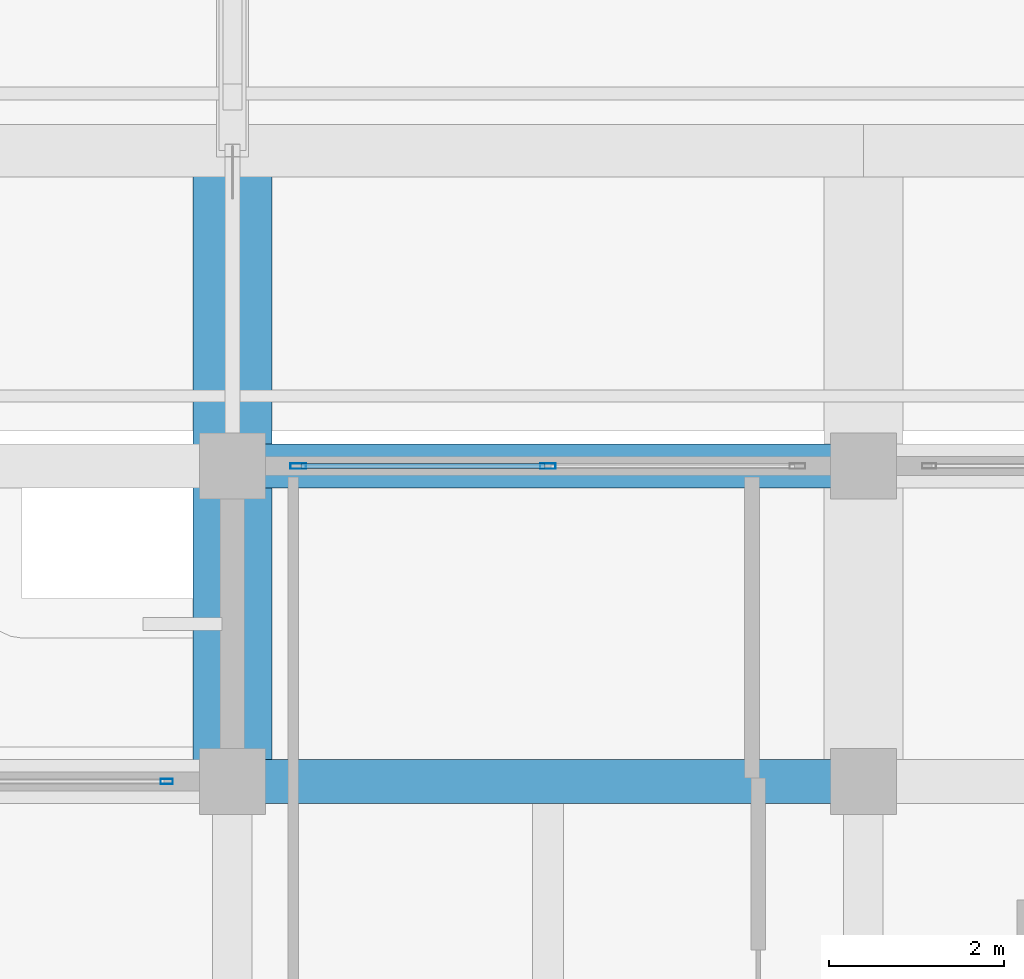
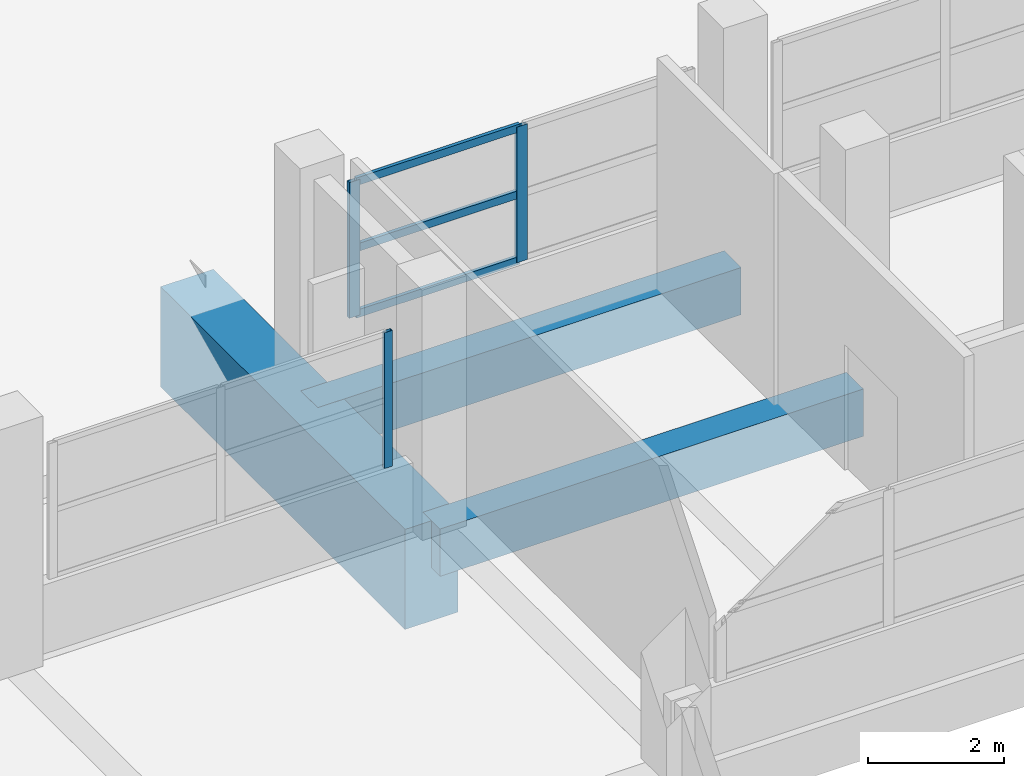
# One storey, part 69 of 141: 6 members, 3 beams, 2 elements without a shape of their own.
"""IFC4 building model written with IfcOpenShell, lengths in metres."""

from ifc_helpers import new_model, si_unit, direction, frame, origin, origin_2d, place, context, subcontext, project, spatial, rectangle, hollow_rectangle, extrude, material, layer, layer_set, material_profile, profile_set, type_object, element, aggregate, save


model = new_model("IFC4")

# Units and contexts
model_context = context("Model", 3, precision=1e-05, world=origin(), true_north=direction((0.0, 1.0)))
body_context = subcontext(model_context, "Body", "Model", "MODEL_VIEW")
ifc_project = project(units=[si_unit("LENGTHUNIT", "METRE"), si_unit("AREAUNIT", "SQUARE_METRE"), si_unit("VOLUMEUNIT", "CUBIC_METRE"), si_unit("PLANEANGLEUNIT", "RADIAN"), si_unit("MASSUNIT", "GRAM", prefix="KILO")], contexts=[model_context])

# Site, building, storey
site_placement = place(None, origin())
site = spatial("IfcSite", under=ifc_project, at=site_placement, CompositionType="ELEMENT")
building_placement = place(site_placement, origin())
building = spatial("IfcBuilding", under=site, at=building_placement, Name="Seraya Terrace Polytechnic", CompositionType="ELEMENT")
storey_placement = place(building_placement, frame((0.0, 0.0, 14.39990234375)))
storey = spatial("IfcBuildingStorey", under=building, at=storey_placement, Name="L03", CompositionType="ELEMENT", Elevation=14.39990234375)

# Beams
ifc_material_1 = material(Name="Concrete C40/50", Category="concrete")
ifc_material_profile_1 = material_profile(ifc_material_1, rectangle(XDim=0.5, YDim=0.85009765625, at=origin_2d()), Name="RC 500x850")
ifc_profile_set_1 = profile_set([ifc_material_profile_1], Name="Concrete C40/50")
beam_type_1 = type_object("IfcBeamType", Name="BM-05", PredefinedType="BEAM", material=ifc_profile_set_1)
for number, where, z_axis, x_axis, name in (
    (1, (43.199951171875, 72.0, -0.4248046875), (1.0, 0.0, 0.0), (0.0, 1.0, 0.0), "Beam BM-05 L03 X (43.2..50.4, 72.0)"),
    (2, (43.199951171875, 75.60009765625, -0.4248046875), (1.0, 0.0, 0.0), (0.0, 1.0, 0.0), "Beam BM-05 L03 X (43.2..50.4, 75.6)"),
):
    element("IfcBeam", number, at=place(storey_placement, frame(where, z_axis=z_axis, x_axis=x_axis)), inside=storey, type_object=beam_type_1, Name=name, PredefinedType="BEAM", context=body_context, shape_type="SweptSolid", body=[
        extrude(rectangle(XDim=0.5, YDim=0.85009765625, at=origin_2d()), origin(), (0.0, 0.0, 1.0), 7.199951171875),
    ])

# Curtain wall, members
ifc_material_2 = material(Name="Anodised aluminium EN AW-6063 T6", Category="aluminium")
ifc_layer_1 = layer(ifc_material_2, 0.179931640625, Name="CW-10")
ifc_layer_set_1 = layer_set([ifc_layer_1], Name="Anodised aluminium EN AW-6063 T6")
curtain_wall_type_1 = type_object("IfcCurtainWallType", Name="CW-10", PredefinedType="NOTDEFINED", material=ifc_layer_set_1)
curtain_wall_1_placement = place(storey_placement, origin())
curtain_wall_1 = element("IfcCurtainWall", 3, at=curtain_wall_1_placement, inside=storey, type_object=curtain_wall_type_1, Name="Unitised curtain wall CW-10 (CW-L03-118)", PredefinedType="NOTDEFINED")
ifc_material_profile_2 = material_profile(ifc_material_2, hollow_rectangle(XDim=0.06494140625, YDim=0.179931640625, WallThickness=0.00390625, at=origin_2d()), Name="RHS 180x65x4.0")
ifc_profile_set_2 = profile_set([ifc_material_profile_2], Name="Anodised aluminium EN AW-6063 T6")
member_type_1 = type_object("IfcMemberType", Name="CWM-01", PredefinedType="MULLION", material=ifc_profile_set_2)
member_1_placement = place(storey_placement, frame((43.952392578125, 75.60009765625, 1.239990234375), z_axis=(0.0, 0.0, 1.0), x_axis=(0.0, 1.0, 0.0)))
member_1 = element("IfcMember", 4, at=member_1_placement, type_object=member_type_1, Name="CW-10 mullion 1", PredefinedType="MULLION", context=body_context, shape_type="SweptSolid", body=[
    extrude(hollow_rectangle(XDim=0.06494140625, YDim=0.179931640625, WallThickness=0.00390625, at=origin_2d()), origin(), (0.0, 0.0, 1.0), 2.440185546875),
])
member_2_placement = place(storey_placement, frame((46.800048828125, 75.60009765625, 1.239990234375), z_axis=(0.0, 0.0, 1.0), x_axis=(0.0, 1.0, 0.0)))
member_2 = element("IfcMember", 5, at=member_2_placement, type_object=member_type_1, Name="CW-10 mullion 2", PredefinedType="MULLION", context=body_context, shape_type="SweptSolid", body=[
    extrude(hollow_rectangle(XDim=0.06494140625, YDim=0.179931640625, WallThickness=0.00390625, at=origin_2d()), origin(), (0.0, 0.0, 1.0), 2.440185546875),
])

# Curtain wall, member
ifc_layer_2 = layer(ifc_material_2, 0.179931640625, Name="CW-09")
ifc_layer_set_2 = layer_set([ifc_layer_2], Name="Anodised aluminium EN AW-6063 T6")
curtain_wall_type_2 = type_object("IfcCurtainWallType", Name="CW-09", PredefinedType="NOTDEFINED", material=ifc_layer_set_2)
curtain_wall_2_placement = place(storey_placement, origin())
curtain_wall_2 = element("IfcCurtainWall", 6, at=curtain_wall_2_placement, inside=storey, type_object=curtain_wall_type_2, Name="Unitised curtain wall CW-09 (CW-L03-117)", PredefinedType="NOTDEFINED")
ifc_material_profile_3 = material_profile(ifc_material_2, hollow_rectangle(XDim=0.06005859375, YDim=0.139892578125, WallThickness=0.00341796875, at=origin_2d()), Name="RHS 140x60x3.5")
ifc_profile_set_3 = profile_set([ifc_material_profile_3], Name="Anodised aluminium EN AW-6063 T6")
member_type_2 = type_object("IfcMemberType", Name="CWM-03", PredefinedType="MULLION", material=ifc_profile_set_3)
member_3_placement = place(storey_placement, frame((42.449951171875, 72.0, 1.239990234375), z_axis=(0.0, 0.0, 1.0), x_axis=(0.0, 1.0, 0.0)))
member_3 = element("IfcMember", 7, at=member_3_placement, type_object=member_type_2, Name="CW-09 mullion 3", PredefinedType="MULLION", context=body_context, shape_type="SweptSolid", body=[
    extrude(hollow_rectangle(XDim=0.06005859375, YDim=0.139892578125, WallThickness=0.00341796875, at=origin_2d()), origin(), (0.0, 0.0, 1.0), 2.440185546875),
])
aggregate(curtain_wall_2, [member_3])

# Member
ifc_material_profile_4 = material_profile(ifc_material_2, hollow_rectangle(XDim=0.06005859375, YDim=0.139892578125, WallThickness=0.00341796875, at=origin_2d()), Name="RHS 140x60x3.5")
ifc_profile_set_4 = profile_set([ifc_material_profile_4], Name="Anodised aluminium EN AW-6063 T6")
member_type_3 = type_object("IfcMemberType", Name="CWT-01", PredefinedType="USERDEFINED", material=ifc_profile_set_4)
member_4_placement = place(storey_placement, frame((43.985107421875, 75.60009765625, 1.27001953125), z_axis=(1.0, 0.0, 0.0), x_axis=(0.0, 1.0, 0.0)))
member_4 = element("IfcMember", 8, at=member_4_placement, type_object=member_type_3, Name="CW-10 transom 1.1", ObjectType="TRANSOM", PredefinedType="USERDEFINED", context=body_context, shape_type="SweptSolid", body=[
    extrude(hollow_rectangle(XDim=0.06005859375, YDim=0.139892578125, WallThickness=0.00341796875, at=origin_2d()), origin(), (0.0, 0.0, 1.0), 2.782470703125),
])

member_5_placement = place(storey_placement, frame((43.985107421875, 75.60009765625, 2.460205078125), z_axis=(1.0, 0.0, 0.0), x_axis=(0.0, 1.0, 0.0)))
member_5 = element("IfcMember", 9, at=member_5_placement, type_object=member_type_3, Name="CW-10 transom 1.2", ObjectType="TRANSOM", PredefinedType="USERDEFINED", context=body_context, shape_type="SweptSolid", body=[
    extrude(hollow_rectangle(XDim=0.06005859375, YDim=0.139892578125, WallThickness=0.00341796875, at=origin_2d()), origin(), (0.0, 0.0, 1.0), 2.782470703125),
])

member_6_placement = place(storey_placement, frame((43.985107421875, 75.60009765625, 3.650146484375), z_axis=(1.0, 0.0, 0.0), x_axis=(0.0, 1.0, 0.0)))
member_6 = element("IfcMember", 10, at=member_6_placement, type_object=member_type_3, Name="CW-10 transom 1.3", ObjectType="TRANSOM", PredefinedType="USERDEFINED", context=body_context, shape_type="SweptSolid", body=[
    extrude(hollow_rectangle(XDim=0.06005859375, YDim=0.139892578125, WallThickness=0.00341796875, at=origin_2d()), origin(), (0.0, 0.0, 1.0), 2.782470703125),
])

aggregate(curtain_wall_1, [member_1, member_2, member_4, member_5, member_6])

# Beam
ifc_material_profile_5 = material_profile(ifc_material_1, rectangle(XDim=0.89990234375, YDim=1.800048828125, at=origin_2d()), Name="RC 900x1800")
ifc_profile_set_5 = profile_set([ifc_material_profile_5], Name="Concrete C40/50")
beam_type_2 = type_object("IfcBeamType", Name="TG-01", PredefinedType="USERDEFINED", material=ifc_profile_set_5)
beam_placement = place(storey_placement, frame((43.199951171875, 72.0, -0.89990234375), z_axis=(0.0, 1.0, 0.0), x_axis=(-1.0, 0.0, 0.0)))
element("IfcBeam", 11, at=beam_placement, inside=storey, type_object=beam_type_2, Name="Transfer girder TG-01 L03 #12", ObjectType="GIRDER", PredefinedType="USERDEFINED", context=body_context, shape_type="SweptSolid", body=[
    extrude(rectangle(XDim=0.89990234375, YDim=1.800048828125, at=origin_2d()), origin(), (0.0, 0.0, 1.0), 7.199951171875),
])

save(model, "model.ifc")
